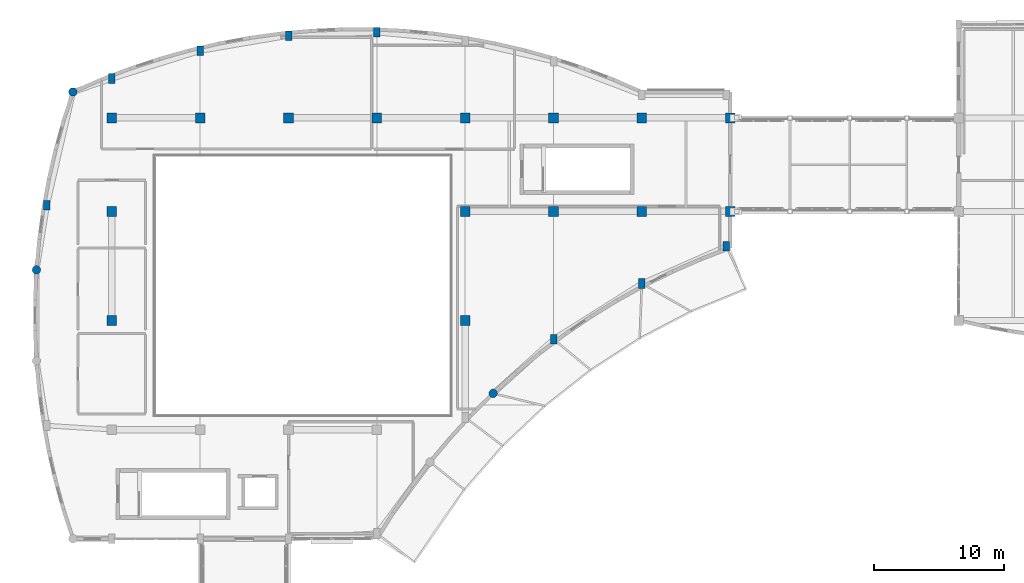
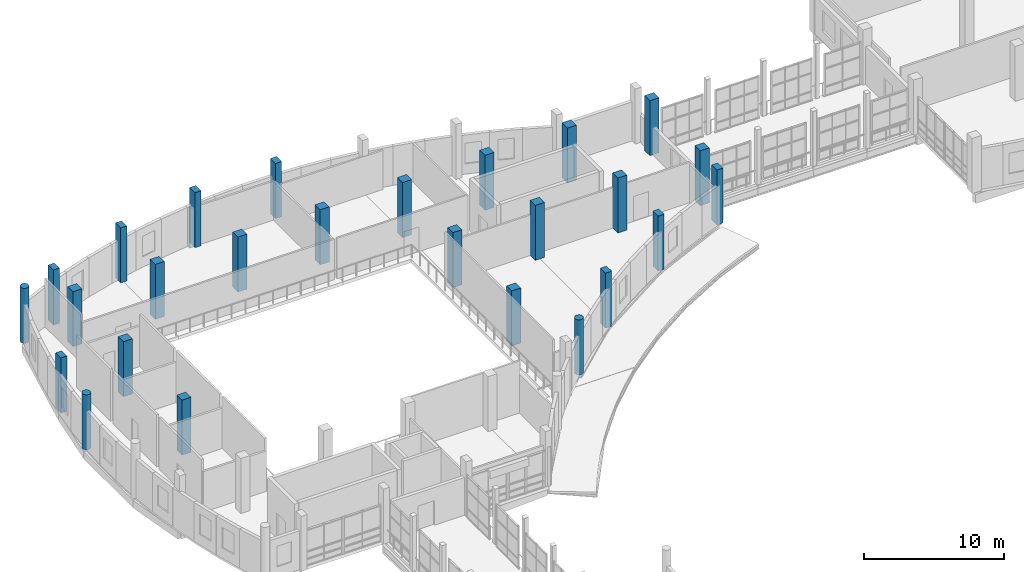
# One storey, part 5 of 106: 26 columns.
"""IFC4 building model written with IfcOpenShell, lengths in metres."""

from ifc_helpers import new_model, si_unit, direction, frame, origin, origin_2d, place, context, subcontext, project, spatial, rectangle, circle, extrude, material, material_profile, profile_set, type_object, element, save


model = new_model("IFC4")

# Units and contexts
model_context = context("Model", 3, precision=1e-05, world=origin(), true_north=direction((0.0, 1.0)))
body_context = subcontext(model_context, "Body", "Model", "MODEL_VIEW")
ifc_project = project(units=[si_unit("LENGTHUNIT", "METRE"), si_unit("AREAUNIT", "SQUARE_METRE"), si_unit("VOLUMEUNIT", "CUBIC_METRE"), si_unit("PLANEANGLEUNIT", "RADIAN"), si_unit("MASSUNIT", "GRAM", prefix="KILO")], contexts=[model_context])

# Site, building, storey
site_placement = place(None, origin())
site = spatial("IfcSite", under=ifc_project, at=site_placement, CompositionType="ELEMENT")
building_placement = place(site_placement, origin())
building = spatial("IfcBuilding", under=site, at=building_placement, Name="Kisaragi Civic Commons", CompositionType="ELEMENT")
storey_placement = place(building_placement, frame((0.0, 0.0, 4.800048828125)))
storey = spatial("IfcBuildingStorey", under=building, at=storey_placement, Name="L01", CompositionType="ELEMENT", Elevation=4.800048828125)

# Columns
ifc_material_1 = material(Name="Concrete Fc36", Category="concrete")
ifc_material_profile_1 = material_profile(ifc_material_1, rectangle(XDim=0.75, YDim=0.75, at=origin_2d()), Name="RC-750x750", Category="concrete")
ifc_profile_set_1 = profile_set([ifc_material_profile_1], Name="Concrete Fc36")
column_type_1 = type_object("IfcColumnType", Name="C-02", PredefinedType="COLUMN", material=ifc_profile_set_1)
for number, where, z_axis, x_axis, name in (
    (1, (6.800048828125, 96.0, 0.0), (0.0, 0.0, 1.0), (1.0, 0.0, 0.0), "L01 column C-02 (6.8,96.0)"),
    (2, (6.800048828125, 104.39990234375, 0.0), (0.0, 0.0, 1.0), (1.0, 0.0, 0.0), "L01 column C-02 (6.8,104.4)"),
    (3, (6.800048828125, 111.60009765625, 0.0), (0.0, 0.0, 1.0), (1.0, 0.0, 0.0), "L01 column C-02 (6.8,111.6)"),
    (4, (13.60009765625, 111.60009765625, 0.0), (0.0, 0.0, 1.0), (1.0, 0.0, 0.0), "L01 column C-02 (13.6,111.6)"),
    (5, (20.39990234375, 111.60009765625, 0.0), (0.0, 0.0, 1.0), (1.0, 0.0, 0.0), "L01 column C-02 (20.4,111.6)"),
    (6, (27.199951171875, 111.60009765625, 0.0), (0.0, 0.0, 1.0), (1.0, 0.0, 0.0), "L01 column C-02 (27.2,111.6)"),
    (7, (34.0, 96.0, 0.0), (0.0, 0.0, 1.0), (1.0, 0.0, 0.0), "L01 column C-02 (34.0,96.0)"),
    (8, (34.0, 104.39990234375, 0.0), (0.0, 0.0, 1.0), (1.0, 0.0, 0.0), "L01 column C-02 (34.0,104.4)"),
    (9, (34.0, 111.60009765625, 0.0), (0.0, 0.0, 1.0), (1.0, 0.0, 0.0), "L01 column C-02 (34.0,111.6)"),
    (10, (40.800048828125, 104.39990234375, 0.0), (0.0, 0.0, 1.0), (1.0, 0.0, 0.0), "L01 column C-02 (40.8,104.4)"),
    (11, (40.800048828125, 111.60009765625, 0.0), (0.0, 0.0, 1.0), (1.0, 0.0, 0.0), "L01 column C-02 (40.8,111.6)"),
    (12, (47.60009765625, 104.39990234375, 0.0), (0.0, 0.0, 1.0), (1.0, 0.0, 0.0), "L01 column C-02 (47.6,104.4)"),
    (13, (47.60009765625, 111.60009765625, 0.0), (0.0, 0.0, 1.0), (1.0, 0.0, 0.0), "L01 column C-02 (47.6,111.6)"),
):
    element("IfcColumn", number, at=place(storey_placement, frame(where, z_axis=z_axis, x_axis=x_axis)), inside=storey, type_object=column_type_1, Name=name, PredefinedType="COLUMN", context=body_context, shape_type="SweptSolid", body=[
        extrude(rectangle(XDim=0.75, YDim=0.75, at=origin_2d()), origin(), (0.0, 0.0, 1.0), 4.800048828125),
    ])
ifc_material_profile_2 = material_profile(ifc_material_1, rectangle(XDim=0.75, YDim=0.75, at=origin_2d()), Name="RC-750x750", Category="concrete")
ifc_profile_set_2 = profile_set([ifc_material_profile_2], Name="Concrete Fc36")
column_type_2 = type_object("IfcColumnType", Name="C-06", PredefinedType="COLUMN", material=ifc_profile_set_2)
for number, where, z_axis, x_axis, name in (
    (14, (54.39990234375, 104.39990234375, 0.0), (0.0, 0.0, 1.0), (1.0, 0.0, 0.0), "L01 column C-06 (54.4,104.4)"),
    (15, (54.39990234375, 111.60009765625, 0.0), (0.0, 0.0, 1.0), (1.0, 0.0, 0.0), "L01 column C-06 (54.4,111.6)"),
):
    element("IfcColumn", number, at=place(storey_placement, frame(where, z_axis=z_axis, x_axis=x_axis)), inside=storey, type_object=column_type_2, Name=name, PredefinedType="COLUMN", context=body_context, shape_type="SweptSolid", body=[
        extrude(rectangle(XDim=0.75, YDim=0.75, at=origin_2d()), origin(), (0.0, 0.0, 1.0), 4.800048828125),
    ])
ifc_material_2 = material(Name="Concrete Fc30", Category="concrete")
ifc_material_profile_3 = material_profile(ifc_material_2, rectangle(XDim=0.5, YDim=0.75, at=origin_2d()), Name="RC-500x750", Category="concrete")
ifc_profile_set_3 = profile_set([ifc_material_profile_3], Name="Concrete Fc30")
column_type_3 = type_object("IfcColumnType", Name="C-10", PredefinedType="COLUMN", material=ifc_profile_set_3)
for number, where, z_axis, x_axis, name in (
    (16, (1.800048828125, 104.8837890625, 0.0), (0.0, 0.0, 1.0), (1.0, 0.0, 0.0), "L01 column C-10 (1.8,104.9)"),
    (17, (6.800048828125, 114.631103515625, 0.0), (0.0, 0.0, 1.0), (1.0, 0.0, 0.0), "L01 column C-10 (6.8,114.6)"),
    (18, (13.60009765625, 116.770263671875, 0.0), (0.0, 0.0, 1.0), (1.0, 0.0, 0.0), "L01 column C-10 (13.6,116.8)"),
    (19, (20.39990234375, 117.93408203125, 0.0), (0.0, 0.0, 1.0), (1.0, 0.0, 0.0), "L01 column C-10 (20.4,117.9)"),
    (20, (27.199951171875, 118.1884765625, 0.0), (0.0, 0.0, 1.0), (1.0, 0.0, 0.0), "L01 column C-10 (27.2,118.2)"),
    (21, (40.800048828125, 94.565185546875, 0.0), (0.0, 0.0, 1.0), (1.0, 0.0, 0.0), "L01 column C-10 (40.8,94.6)"),
    (22, (47.60009765625, 98.851318359375, 0.0), (0.0, 0.0, 1.0), (1.0, 0.0, 0.0), "L01 column C-10 (47.6,98.9)"),
    (23, (54.10009765625, 101.720458984375, 0.0), (0.0, 0.0, 1.0), (1.0, 0.0, 0.0), "L01 column C-10 (54.1,101.7)"),
):
    element("IfcColumn", number, at=place(storey_placement, frame(where, z_axis=z_axis, x_axis=x_axis)), inside=storey, type_object=column_type_3, Name=name, PredefinedType="COLUMN", context=body_context, shape_type="SweptSolid", body=[
        extrude(rectangle(XDim=0.5, YDim=0.75, at=origin_2d()), origin(), (0.0, 0.0, 1.0), 4.800048828125),
    ])
ifc_material_profile_4 = material_profile(ifc_material_2, circle(Radius=0.324951171875, at=origin_2d()), Name="RC-D650", Category="concrete")
ifc_profile_set_4 = profile_set([ifc_material_profile_4], Name="Concrete Fc30")
column_type_4 = type_object("IfcColumnType", Name="C-12", PredefinedType="COLUMN", material=ifc_profile_set_4)
for number, where, z_axis, x_axis, name in (
    (24, (0.9912109375, 99.9033203125, 0.0), (0.0, 0.0, 1.0), (1.0, 0.0, 0.0), "L01 column C-12 (1.0,99.9)"),
    (25, (3.800048828125, 113.60009765625, 0.0), (0.0, 0.0, 1.0), (1.0, 0.0, 0.0), "L01 column C-12 (3.8,113.6)"),
    (26, (36.151123046875, 90.394775390625, 0.0), (0.0, 0.0, 1.0), (1.0, 0.0, 0.0), "L01 column C-12 (36.2,90.4)"),
):
    element("IfcColumn", number, at=place(storey_placement, frame(where, z_axis=z_axis, x_axis=x_axis)), inside=storey, type_object=column_type_4, Name=name, PredefinedType="COLUMN", context=body_context, shape_type="SweptSolid", body=[
        extrude(circle(Radius=0.324951171875, at=origin_2d()), origin(), (0.0, 0.0, 1.0), 4.800048828125),
    ])

save(model, "model.ifc")
